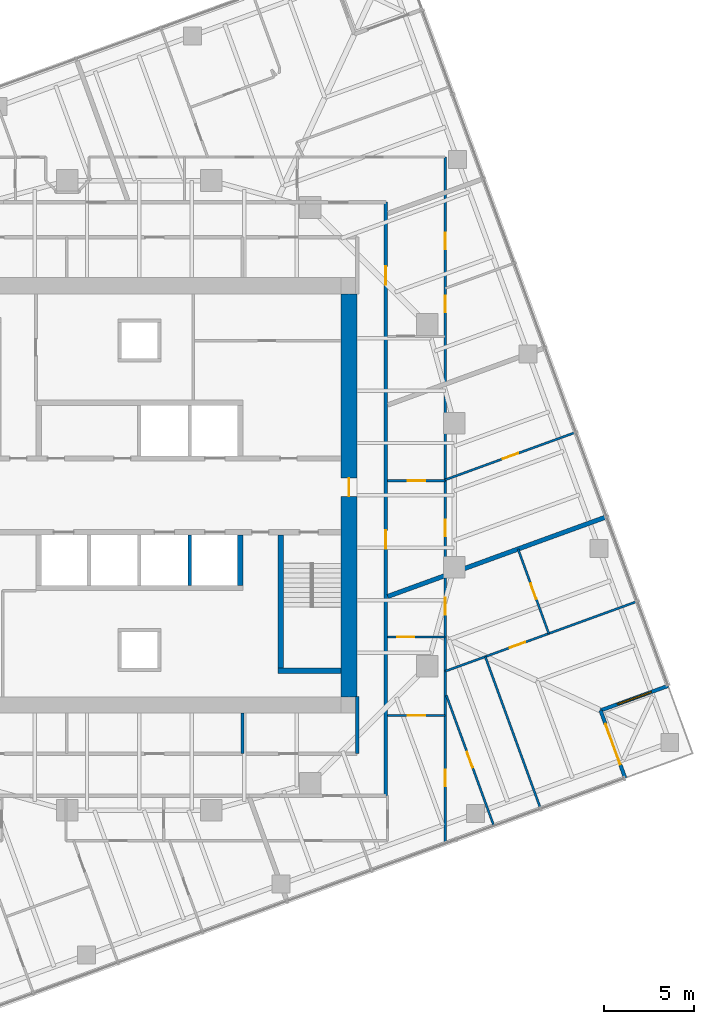
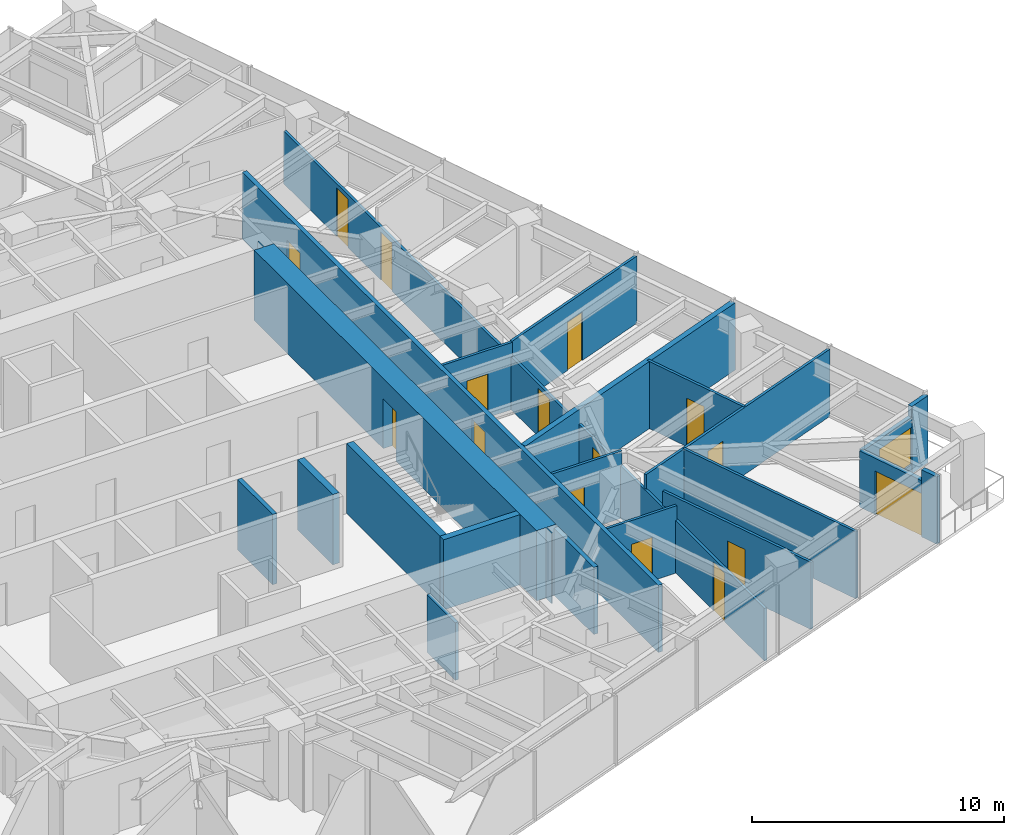
# One storey, part 9 of 13: 22 walls, 16 doors, 1 window, 17 openings.
"""IFC4 building model written with IfcOpenShell, lengths in metres."""

from ifc_helpers import new_model, si_unit, direction, frame, frame_2d, origin, place, context, subcontext, project, spatial, polyline, rectangle, outline, extrude, material, layer, layer_set, type_object, element, fill, save


model = new_model("IFC4")

# Units and contexts
model_context = context("Model", 3, precision=1e-05, world=origin(), true_north=direction((0.0, 1.0)))
body_context = subcontext(model_context, "Body", "Model", "MODEL_VIEW")
ifc_project = project(units=[si_unit("LENGTHUNIT", "METRE"), si_unit("AREAUNIT", "SQUARE_METRE"), si_unit("VOLUMEUNIT", "CUBIC_METRE"), si_unit("PLANEANGLEUNIT", "RADIAN"), si_unit("MASSUNIT", "GRAM", prefix="KILO")], contexts=[model_context])

# Site, building, storey
site_placement = place(None, origin())
site = spatial("IfcSite", under=ifc_project, at=site_placement, CompositionType="ELEMENT")
building_placement = place(site_placement, origin())
building = spatial("IfcBuilding", under=site, at=building_placement, Name="Torsade Residences", CompositionType="ELEMENT")
storey_placement = place(building_placement, frame((0.0, 0.0, 147.199951171875)))
storey = spatial("IfcBuildingStorey", under=building, at=storey_placement, Name="L40", CompositionType="ELEMENT", Elevation=147.199951171875)

# Walls
ifc_material_1 = material(Name="Concrete 80 MPa", Category="concrete")
ifc_layer_1 = layer(ifc_material_1, 0.300048828125)
ifc_layer_set_1 = layer_set([ifc_layer_1], Name="Concrete 80 MPa")
wall_type_1 = type_object("IfcWallType", Name="CORE INTERNAL WALL 300", PredefinedType="SHEAR", material=ifc_layer_set_1)
wall_1_placement = place(storey_placement, frame((45.60009765625, 27.800048828125, 0.0), z_axis=(0.0, 0.0, 1.0), x_axis=(0.0, -1.0, 0.0)))
element("IfcWall", 1, at=wall_1_placement, inside=storey, type_object=wall_type_1, Name="Core wall DS0 L40", PredefinedType="SHEAR", context=body_context, shape_type="SweptSolid", body=[
    extrude(rectangle(XDim=2.800048828125, YDim=0.300048828125, at=frame_2d((1.39990234375, 0.0))), origin(), (0.0, 0.0, 1.0), 3.400146484375),
])
wall_2_placement = place(storey_placement, frame((47.85009765625, 27.800048828125, 0.0), z_axis=(0.0, 0.0, 1.0), x_axis=(0.0, -1.0, 0.0)))
element("IfcWall", 2, at=wall_2_placement, inside=storey, type_object=wall_type_1, Name="Core wall ST2W L40", PredefinedType="SHEAR", context=body_context, shape_type="SweptSolid", body=[
    extrude(rectangle(XDim=7.699951171875, YDim=0.300048828125, at=frame_2d((3.85009765625, 0.0))), origin(), (0.0, 0.0, 1.0), 3.400146484375),
])
wall_3_placement = place(storey_placement, frame((51.199951171875, 20.25, 0.0), z_axis=(0.0, 0.0, 1.0), x_axis=(-1.0, 0.0, 0.0)))
element("IfcWall", 3, at=wall_3_placement, inside=storey, type_object=wall_type_1, Name="Core wall ST2S L40", PredefinedType="SHEAR", context=body_context, shape_type="SweptSolid", body=[
    extrude(rectangle(XDim=3.5, YDim=0.300048828125, at=frame_2d((1.75, 0.0))), origin(), (0.0, 0.0, 1.0), 3.400146484375),
])

# Wall, opening, door
ifc_material_2 = material(Name="Concrete 80 MPa", Category="concrete")
ifc_layer_2 = layer(ifc_material_2, 0.89990234375)
ifc_layer_set_2 = layer_set([ifc_layer_2], Name="Concrete 80 MPa")
wall_type_2 = type_object("IfcWallType", Name="CORE WALL 900", PredefinedType="SHEAR", material=ifc_layer_set_2)
wall_4_placement = place(storey_placement, frame((51.64990234375, 18.800048828125, 0.0), z_axis=(0.0, 0.0, 1.0), x_axis=(0.0, 1.0, 0.0)))
wall_4 = element("IfcWall", 4, at=wall_4_placement, inside=storey, type_object=wall_type_2, Name="Core wall E L40", PredefinedType="SHEAR", context=body_context, shape_type="SweptSolid", body=[
    extrude(outline(polyline([(0.0, -0.449951171875), (22.39990234375, -0.449951171875), (22.39990234375, -0.02490234375), (22.849853515625, -0.02490234375), (22.849853515625, 0.02490234375), (22.39990234375, 0.02490234375), (22.39990234375, 0.449951171875), (0.0, 0.449951171875), (0.0, 0.02490234375), (-0.449951171875, 0.02490234375), (-0.449951171875, -0.02490234375), (0.0, -0.02490234375), (0.0, -0.449951171875)])), origin(), (0.0, 0.0, 1.0), 3.400146484375),
])
opening_1_placement = place(wall_4_placement, frame((11.139892578125, 0.0, 0.0)))
opening_1 = element("IfcOpeningElement", 5, at=opening_1_placement, cuts=wall_4, Name="Opening D04", PredefinedType="OPENING", context=body_context, shape_type="SweptSolid", body=[
    extrude(rectangle(XDim=1.02001953125, YDim=2.39990234375, at=frame_2d((0.510009765625, 1.199951171875))), frame((0.0, 0.4599609375, 0.0), z_axis=(0.0, -1.0, 0.0), x_axis=(1.0, 0.0, 0.0)), (0.0, 0.0, 1.0), 0.919921875),
])
ifc_material_3 = material(Name="Steel-framed fire door", Category="steel")
door_type_1 = type_object("IfcDoorType", Name="LOBBY SMOKE DOOR 1020x2400", OperationType="NOTDEFINED", PredefinedType="DOOR", material=ifc_material_3)
door_1_placement = place(opening_1_placement, origin())
door_1 = element("IfcDoor", 6, at=door_1_placement, inside=storey, type_object=door_type_1, Name="Lift lobby door E L40", OperationType="SINGLE_SWING_LEFT", OverallHeight=2.39990234375, OverallWidth=1.02001953125, PredefinedType="DOOR", context=body_context, shape_type="SweptSolid", body=[
    extrude(rectangle(XDim=1.02001953125, YDim=2.39990234375, at=frame_2d((0.510009765625, 1.199951171875))), frame((0.0, 0.02490234375, 0.0), z_axis=(0.0, -1.0, 0.0), x_axis=(1.0, 0.0, 0.0)), (0.0, 0.0, 1.0), 0.050048828125),
])
fill(opening_1, door_1)

# Wall, openings, doors
ifc_material_4 = material(Name="Plasterboard on steel stud", Category="steel")
ifc_layer_3 = layer(ifc_material_4, 0.199951171875)
ifc_layer_set_3 = layer_set([ifc_layer_3], Name="Plasterboard on steel stud")
wall_type_3 = type_object("IfcWallType", Name="CORRIDOR WALL 200", PredefinedType="PARTITIONING", material=ifc_layer_set_3)
wall_5_placement = place(storey_placement, frame((53.699951171875, 13.300048828125, 0.0), z_axis=(0.0, 0.0, 1.0), x_axis=(0.0, 1.0, 0.0)))
wall_5 = element("IfcWall", 7, at=wall_5_placement, inside=storey, type_object=wall_type_3, Name="Corridor wall L40", PredefinedType="PARTITIONING", context=body_context, shape_type="SweptSolid", body=[
    extrude(rectangle(XDim=33.0, YDim=0.199951171875, at=frame_2d((16.5, 0.0))), origin(), (0.0, 0.0, 1.0), 3.25),
])
opening_2_placement = place(wall_5_placement, frame((28.4111328125, 0.0, 0.0)))
opening_2 = element("IfcOpeningElement", 8, at=opening_2_placement, cuts=wall_5, Name="Opening D01L", PredefinedType="OPENING", context=body_context, shape_type="SweptSolid", body=[
    extrude(rectangle(XDim=1.02001953125, YDim=2.10009765625, at=frame_2d((0.510009765625, 1.050048828125))), frame((0.0, 0.10986328125, 0.0), z_axis=(0.0, -1.0, 0.0), x_axis=(1.0, 0.0, 0.0)), (0.0, 0.0, 1.0), 0.219970703125),
])
opening_3_placement = place(wall_5_placement, frame((13.7412109375, 0.0, 0.0)))
opening_3 = element("IfcOpeningElement", 9, at=opening_3_placement, cuts=wall_5, Name="Opening D01", PredefinedType="OPENING", context=body_context, shape_type="SweptSolid", body=[
    extrude(rectangle(XDim=1.02001953125, YDim=2.340087890625, at=frame_2d((0.510009765625, 1.169921875))), frame((0.0, 0.10986328125, 0.0), z_axis=(0.0, -1.0, 0.0), x_axis=(1.0, 0.0, 0.0)), (0.0, 0.0, 1.0), 0.219970703125),
])
ifc_material_5 = material(Name="Solid-core timber fire door", Category="wood")
door_type_2 = type_object("IfcDoorType", Name="APARTMENT ENTRY DOOR 1020x2100", OperationType="NOTDEFINED", PredefinedType="DOOR", material=ifc_material_5)
door_2_placement = place(opening_2_placement, origin())
door_2 = element("IfcDoor", 10, at=door_2_placement, inside=storey, type_object=door_type_2, Name="Door Residential corridor to Kitchen and dining", OperationType="SINGLE_SWING_RIGHT", OverallHeight=2.10009765625, OverallWidth=1.02001953125, PredefinedType="DOOR", context=body_context, shape_type="SweptSolid", body=[
    extrude(rectangle(XDim=1.02001953125, YDim=2.10009765625, at=frame_2d((0.510009765625, 1.050048828125))), frame((0.0, 0.02490234375, 0.0), z_axis=(0.0, -1.0, 0.0), x_axis=(1.0, 0.0, 0.0)), (0.0, 0.0, 1.0), 0.050048828125),
])
fill(opening_2, door_2)
ifc_material_6 = material(Name="Solid-core timber fire door", Category="wood")
door_type_3 = type_object("IfcDoorType", Name="APARTMENT ENTRY DOOR 1020x2340", OperationType="NOTDEFINED", PredefinedType="DOOR", material=ifc_material_6)
door_3_placement = place(opening_3_placement, origin())
door_3 = element("IfcDoor", 11, at=door_3_placement, inside=storey, type_object=door_type_3, Name="Door Residential corridor to Kitchen and dining", OperationType="SINGLE_SWING_LEFT", OverallHeight=2.340087890625, OverallWidth=1.02001953125, PredefinedType="DOOR", context=body_context, shape_type="SweptSolid", body=[
    extrude(rectangle(XDim=1.02001953125, YDim=2.340087890625, at=frame_2d((0.510009765625, 1.169921875))), frame((0.0, 0.02490234375, 0.0), z_axis=(0.0, -1.0, 0.0), x_axis=(1.0, 0.0, 0.0)), (0.0, 0.0, 1.0), 0.050048828125),
])
fill(opening_3, door_3)

# Walls
wall_6_placement = place(storey_placement, frame((52.10009765625, 15.64990234375, 0.0), z_axis=(0.0, 0.0, 1.0), x_axis=(0.0, 1.0, 0.0)))
element("IfcWall", 12, at=wall_6_placement, inside=storey, type_object=wall_type_3, Name="Corridor wall L40", PredefinedType="PARTITIONING", context=body_context, shape_type="SweptSolid", body=[
    extrude(rectangle(XDim=3.170166015625, YDim=0.199951171875, at=frame_2d((1.5849609375, 0.0))), origin(), (0.0, 0.0, 1.0), 3.25),
])
ifc_material_7 = material(Name="Reinforced blockwork", Category="masonry")
ifc_layer_4 = layer(ifc_material_7, 0.199951171875)
ifc_layer_set_4 = layer_set([ifc_layer_4], Name="Reinforced blockwork")
wall_type_4 = type_object("IfcWallType", Name="LIFT SHAFT DIVIDING WALL 200", PredefinedType="SOLIDWALL", material=ifc_layer_set_4)
wall_7_placement = place(storey_placement, frame((42.800048828125, 27.800048828125, 0.0), z_axis=(0.0, 0.0, 1.0), x_axis=(0.0, -1.0, 0.0)))
element("IfcWall", 13, at=wall_7_placement, inside=storey, type_object=wall_type_4, Name="Core wall DS1 L40", PredefinedType="SOLIDWALL", context=body_context, shape_type="SweptSolid", body=[
    extrude(rectangle(XDim=2.800048828125, YDim=0.199951171875, at=frame_2d((1.39990234375, 0.0))), origin(), (0.0, 0.0, 1.0), 3.400146484375),
])

# Wall, opening, door
ifc_material_8 = material(Name="Plasterboard on steel stud", Category="steel")
ifc_layer_5 = layer(ifc_material_8, 0.1201171875)
ifc_layer_set_5 = layer_set([ifc_layer_5], Name="Plasterboard on steel stud")
wall_type_5 = type_object("IfcWallType", Name="PARTITION 120", PredefinedType="PARTITIONING", material=ifc_layer_set_5)
wall_8_placement = place(storey_placement, frame((53.800048828125, 17.768798828125, 0.0), z_axis=(0.0, 0.0, 1.0), x_axis=(1.0, 0.0, 0.0)))
wall_8 = element("IfcWall", 14, at=wall_8_placement, inside=storey, type_object=wall_type_5, Name="Partition L40", PredefinedType="PARTITIONING", context=body_context, shape_type="SweptSolid", body=[
    extrude(rectangle(XDim=3.199951171875, YDim=0.1201171875, at=frame_2d((1.60009765625, 0.0))), origin(), (0.0, 0.0, 1.0), 3.25),
])
opening_4_placement = place(wall_8_placement, frame((1.1201171875, 0.0, 0.0)))
opening_4 = element("IfcOpeningElement", 15, at=opening_4_placement, cuts=wall_8, Name="Opening D05", PredefinedType="OPENING", context=body_context, shape_type="SweptSolid", body=[
    extrude(rectangle(XDim=0.9599609375, YDim=2.10009765625, at=frame_2d((0.47998046875, 1.050048828125))), frame((0.0, 0.070068359375, 0.0), z_axis=(0.0, -1.0, 0.0), x_axis=(1.0, 0.0, 0.0)), (0.0, 0.0, 1.0), 0.14013671875),
])
ifc_material_9 = material(Name="Hollow-core timber door in a steel cavity frame", Category="steel")
door_type_4 = type_object("IfcDoorType", Name="BATHROOM CAVITY SLIDING DOOR 960", OperationType="SLIDING_TO_LEFT", PredefinedType="DOOR", material=ifc_material_9)
door_4_placement = place(opening_4_placement, origin())
door_4 = element("IfcDoor", 16, at=door_4_placement, inside=storey, type_object=door_type_4, Name="Door Scullery to Bathroom", OperationType="SLIDING_TO_LEFT", OverallHeight=2.10009765625, OverallWidth=0.9599609375, PredefinedType="DOOR", context=body_context, shape_type="SweptSolid", body=[
    extrude(rectangle(XDim=0.9599609375, YDim=2.10009765625, at=frame_2d((0.47998046875, 1.050048828125))), frame((0.0, 0.02490234375, 0.0), z_axis=(0.0, -1.0, 0.0), x_axis=(1.0, 0.0, 0.0)), (0.0, 0.0, 1.0), 0.050048828125),
])
fill(opening_4, door_4)

# Wall, openings, doors
wall_9_placement = place(storey_placement, frame((57.0, 48.800048828125, 0.0), z_axis=(0.0, 0.0, 1.0), x_axis=(0.0, -1.0, 0.0)))
wall_9 = element("IfcWall", 17, at=wall_9_placement, inside=storey, type_object=wall_type_5, Name="Partition L40", PredefinedType="PARTITIONING", context=body_context, shape_type="SweptSolid", body=[
    extrude(rectangle(XDim=38.11279296875, YDim=0.1201171875, at=frame_2d((19.056396484375, 0.0))), origin(), (0.0, 0.0, 1.0), 2.550048828125),
])
opening_5_placement = place(wall_9_placement, frame((4.19775390625, 0.0, 0.0)))
opening_5 = element("IfcOpeningElement", 18, at=opening_5_placement, cuts=wall_9, Name="Opening D02", PredefinedType="OPENING", context=body_context, shape_type="SweptSolid", body=[
    extrude(rectangle(XDim=0.919921875, YDim=2.340087890625, at=frame_2d((0.4599609375, 1.169921875))), frame((0.0, 0.070068359375, 0.0), z_axis=(0.0, -1.0, 0.0), x_axis=(1.0, 0.0, 0.0)), (0.0, 0.0, 1.0), 0.14013671875),
])
opening_6_placement = place(wall_9_placement, frame((7.69189453125, 0.0, 0.0)))
opening_6 = element("IfcOpeningElement", 19, at=opening_6_placement, cuts=wall_9, Name="Opening D02", PredefinedType="OPENING", context=body_context, shape_type="SweptSolid", body=[
    extrude(rectangle(XDim=0.919921875, YDim=2.340087890625, at=frame_2d((0.4599609375, 1.169921875))), frame((0.0, 0.070068359375, 0.0), z_axis=(0.0, -1.0, 0.0), x_axis=(1.0, 0.0, 0.0)), (0.0, 0.0, 1.0), 0.14013671875),
])
opening_7_placement = place(wall_9_placement, frame((20.162109375, 0.0, 0.0)))
opening_7 = element("IfcOpeningElement", 20, at=opening_7_placement, cuts=wall_9, Name="Opening D02", PredefinedType="OPENING", context=body_context, shape_type="SweptSolid", body=[
    extrude(rectangle(XDim=0.919921875, YDim=2.340087890625, at=frame_2d((0.4599609375, 1.169921875))), frame((0.0, 0.070068359375, 0.0), z_axis=(0.0, -1.0, 0.0), x_axis=(1.0, 0.0, 0.0)), (0.0, 0.0, 1.0), 0.14013671875),
])
opening_8_placement = place(wall_9_placement, frame((34.0556640625, 0.0, 0.0)))
opening_8 = element("IfcOpeningElement", 21, at=opening_8_placement, cuts=wall_9, Name="Opening D02", PredefinedType="OPENING", context=body_context, shape_type="SweptSolid", body=[
    extrude(rectangle(XDim=0.919921875, YDim=2.340087890625, at=frame_2d((0.4599609375, 1.169921875))), frame((0.0, 0.070068359375, 0.0), z_axis=(0.0, -1.0, 0.0), x_axis=(1.0, 0.0, 0.0)), (0.0, 0.0, 1.0), 0.14013671875),
])
opening_9_placement = place(wall_9_placement, frame((24.482421875, 0.0, 0.0)))
opening_9 = element("IfcOpeningElement", 22, at=opening_9_placement, cuts=wall_9, Name="Opening D05", PredefinedType="OPENING", context=body_context, shape_type="SweptSolid", body=[
    extrude(rectangle(XDim=0.9599609375, YDim=2.10009765625, at=frame_2d((0.47998046875, 1.050048828125))), frame((0.0, 0.070068359375, 0.0), z_axis=(0.0, -1.0, 0.0), x_axis=(1.0, 0.0, 0.0)), (0.0, 0.0, 1.0), 0.14013671875),
])
door_5_placement = place(opening_9_placement, origin())
door_5 = element("IfcDoor", 23, at=door_5_placement, inside=storey, type_object=door_type_4, Name="Door Ensuite to Walk-in robe", OperationType="SLIDING_TO_LEFT", OverallHeight=2.10009765625, OverallWidth=0.9599609375, PredefinedType="DOOR", context=body_context, shape_type="SweptSolid", body=[
    extrude(rectangle(XDim=0.9599609375, YDim=2.10009765625, at=frame_2d((0.47998046875, 1.050048828125))), frame((0.0, 0.02490234375, 0.0), z_axis=(0.0, -1.0, 0.0), x_axis=(1.0, 0.0, 0.0)), (0.0, 0.0, 1.0), 0.050048828125),
])
fill(opening_9, door_5)
ifc_material_10 = material(Name="Hollow-core timber door", Category="wood")
door_type_5 = type_object("IfcDoorType", Name="INTERNAL DOOR 920x2340", OperationType="NOTDEFINED", PredefinedType="DOOR", material=ifc_material_10)
door_6_placement = place(opening_5_placement, origin())
door_6 = element("IfcDoor", 24, at=door_6_placement, inside=storey, type_object=door_type_5, Name="Door Kitchen and dining to Bedroom 1", OperationType="SINGLE_SWING_RIGHT", OverallHeight=2.340087890625, OverallWidth=0.919921875, PredefinedType="DOOR", context=body_context, shape_type="SweptSolid", body=[
    extrude(rectangle(XDim=0.919921875, YDim=2.340087890625, at=frame_2d((0.4599609375, 1.169921875))), frame((0.0, 0.02490234375, 0.0), z_axis=(0.0, -1.0, 0.0), x_axis=(1.0, 0.0, 0.0)), (0.0, 0.0, 1.0), 0.050048828125),
])
fill(opening_5, door_6)
door_7_placement = place(opening_6_placement, origin())
door_7 = element("IfcDoor", 25, at=door_7_placement, inside=storey, type_object=door_type_5, Name="Door Kitchen and dining to Living room", OperationType="SINGLE_SWING_LEFT", OverallHeight=2.340087890625, OverallWidth=0.919921875, PredefinedType="DOOR", context=body_context, shape_type="SweptSolid", body=[
    extrude(rectangle(XDim=0.919921875, YDim=2.340087890625, at=frame_2d((0.4599609375, 1.169921875))), frame((0.0, 0.02490234375, 0.0), z_axis=(0.0, -1.0, 0.0), x_axis=(1.0, 0.0, 0.0)), (0.0, 0.0, 1.0), 0.050048828125),
])
fill(opening_6, door_7)
door_8_placement = place(opening_7_placement, origin())
door_8 = element("IfcDoor", 26, at=door_8_placement, inside=storey, type_object=door_type_5, Name="Door Kitchen and dining to Living room", OperationType="SINGLE_SWING_RIGHT", OverallHeight=2.340087890625, OverallWidth=0.919921875, PredefinedType="DOOR", context=body_context, shape_type="SweptSolid", body=[
    extrude(rectangle(XDim=0.919921875, YDim=2.340087890625, at=frame_2d((0.4599609375, 1.169921875))), frame((0.0, 0.02490234375, 0.0), z_axis=(0.0, -1.0, 0.0), x_axis=(1.0, 0.0, 0.0)), (0.0, 0.0, 1.0), 0.050048828125),
])
fill(opening_7, door_8)
door_9_placement = place(opening_8_placement, origin())
door_9 = element("IfcDoor", 27, at=door_9_placement, inside=storey, type_object=door_type_5, Name="Door Scullery to Study", OperationType="SINGLE_SWING_RIGHT", OverallHeight=2.340087890625, OverallWidth=0.919921875, PredefinedType="DOOR", context=body_context, shape_type="SweptSolid", body=[
    extrude(rectangle(XDim=0.919921875, YDim=2.340087890625, at=frame_2d((0.4599609375, 1.169921875))), frame((0.0, 0.02490234375, 0.0), z_axis=(0.0, -1.0, 0.0), x_axis=(1.0, 0.0, 0.0)), (0.0, 0.0, 1.0), 0.050048828125),
])
fill(opening_8, door_9)

# Wall, opening, door
wall_10_placement = place(storey_placement, frame((53.800048828125, 22.12939453125, 0.0), z_axis=(0.0, 0.0, 1.0), x_axis=(1.0, 0.0, 0.0)))
wall_10 = element("IfcWall", 28, at=wall_10_placement, inside=storey, type_object=wall_type_5, Name="Partition L40", PredefinedType="PARTITIONING", context=body_context, shape_type="SweptSolid", body=[
    extrude(rectangle(XDim=3.199951171875, YDim=0.1201171875, at=frame_2d((1.60009765625, 0.0))), origin(), (0.0, 0.0, 1.0), 3.25),
])
opening_10_placement = place(wall_10_placement, frame((0.52001953125, 0.0, 0.0)))
opening_10 = element("IfcOpeningElement", 29, at=opening_10_placement, cuts=wall_10, Name="Opening D05", PredefinedType="OPENING", context=body_context, shape_type="SweptSolid", body=[
    extrude(rectangle(XDim=0.9599609375, YDim=2.10009765625, at=frame_2d((0.47998046875, 1.050048828125))), frame((0.0, 0.070068359375, 0.0), z_axis=(0.0, -1.0, 0.0), x_axis=(1.0, 0.0, 0.0)), (0.0, 0.0, 1.0), 0.14013671875),
])
door_10_placement = place(opening_10_placement, origin())
door_10 = element("IfcDoor", 30, at=door_10_placement, inside=storey, type_object=door_type_4, Name="Door Bathroom to Ensuite", OperationType="SLIDING_TO_LEFT", OverallHeight=2.10009765625, OverallWidth=0.9599609375, PredefinedType="DOOR", context=body_context, shape_type="SweptSolid", body=[
    extrude(rectangle(XDim=0.9599609375, YDim=2.10009765625, at=frame_2d((0.47998046875, 1.050048828125))), frame((0.0, 0.02490234375, 0.0), z_axis=(0.0, -1.0, 0.0), x_axis=(1.0, 0.0, 0.0)), (0.0, 0.0, 1.0), 0.050048828125),
])
fill(opening_10, door_10)

wall_11_placement = place(storey_placement, frame((57.0, 20.224853515625, 0.0), z_axis=(0.0, 0.0, 1.0), x_axis=(0.939693965364, 0.342016449105, 0.0)))
wall_11 = element("IfcWall", 31, at=wall_11_placement, inside=storey, type_object=wall_type_5, Name="Partition L40", PredefinedType="PARTITIONING", context=body_context, shape_type="SweptSolid", body=[
    extrude(rectangle(XDim=11.328369140625, YDim=0.1201171875, at=frame_2d((5.6640625, 0.0))), origin(), (0.0, 0.0, 1.0), 3.25),
])
opening_11_placement = place(wall_11_placement, frame((3.812255859375, 0.0, 0.0)))
opening_11 = element("IfcOpeningElement", 32, at=opening_11_placement, cuts=wall_11, Name="Opening D02", PredefinedType="OPENING", context=body_context, shape_type="SweptSolid", body=[
    extrude(rectangle(XDim=0.919921875, YDim=2.340087890625, at=frame_2d((0.4599609375, 1.169921875))), frame((0.0, 0.070068359375, 0.0), z_axis=(0.0, -1.0, 0.0), x_axis=(1.0, 0.0, 0.0)), (0.0, 0.0, 1.0), 0.14013671875),
])
door_11_placement = place(opening_11_placement, origin())
door_11 = element("IfcDoor", 33, at=door_11_placement, inside=storey, type_object=door_type_5, Name="Door Walk-in robe to Living room", OperationType="SINGLE_SWING_RIGHT", OverallHeight=2.340087890625, OverallWidth=0.919921875, PredefinedType="DOOR", context=body_context, shape_type="SweptSolid", body=[
    extrude(rectangle(XDim=0.919921875, YDim=2.340087890625, at=frame_2d((0.4599609375, 1.169921875))), frame((0.0, 0.02490234375, 0.0), z_axis=(0.0, -1.0, 0.0), x_axis=(1.0, 0.0, 0.0)), (0.0, 0.0, 1.0), 0.050048828125),
])
fill(opening_11, door_11)

# Wall
wall_12_placement = place(storey_placement, frame((62.290283203125, 12.615234375, 0.0), z_axis=(0.0, 0.0, 1.0), x_axis=(-0.342038393654, 0.939685978009, 0.0)))
element("IfcWall", 34, at=wall_12_placement, inside=storey, type_object=wall_type_5, Name="Partition L40", PredefinedType="PARTITIONING", context=body_context, shape_type="SweptSolid", body=[
    extrude(rectangle(XDim=8.960205078125, YDim=0.1201171875, at=frame_2d((4.47998046875, 0.0))), origin(), (0.0, 0.0, 1.0), 3.25),
])

# Wall, opening, door
wall_13_placement = place(storey_placement, frame((62.756591796875, 22.320068359375, 0.0), z_axis=(0.0, 0.0, 1.0), x_axis=(-0.341993964619, 0.939702148643, 0.0)))
wall_13 = element("IfcWall", 35, at=wall_13_placement, inside=storey, type_object=wall_type_5, Name="Partition L40", PredefinedType="PARTITIONING", context=body_context, shape_type="SweptSolid", body=[
    extrude(rectangle(XDim=5.0, YDim=0.1201171875, at=frame_2d((2.5, 0.0))), origin(), (0.0, 0.0, 1.0), 3.25),
])
opening_12_placement = place(wall_13_placement, frame((2.0400390625, 0.0, 0.0)))
opening_12 = element("IfcOpeningElement", 36, at=opening_12_placement, cuts=wall_13, Name="Opening D02", PredefinedType="OPENING", context=body_context, shape_type="SweptSolid", body=[
    extrude(rectangle(XDim=0.919921875, YDim=2.340087890625, at=frame_2d((0.4599609375, 1.169921875))), frame((0.0, 0.070068359375, 0.0), z_axis=(0.0, -1.0, 0.0), x_axis=(1.0, 0.0, 0.0)), (0.0, 0.0, 1.0), 0.14013671875),
])
door_12_placement = place(opening_12_placement, origin())
door_12 = element("IfcDoor", 37, at=door_12_placement, inside=storey, type_object=door_type_5, Name="Door Walk-in robe to Bedroom 1", OperationType="SINGLE_SWING_RIGHT", OverallHeight=2.340087890625, OverallWidth=0.919921875, PredefinedType="DOOR", context=body_context, shape_type="SweptSolid", body=[
    extrude(rectangle(XDim=0.919921875, YDim=2.340087890625, at=frame_2d((0.4599609375, 1.169921875))), frame((0.0, 0.02490234375, 0.0), z_axis=(0.0, -1.0, 0.0), x_axis=(1.0, 0.0, 0.0)), (0.0, 0.0, 1.0), 0.050048828125),
])
fill(opening_12, door_12)

wall_14_placement = place(storey_placement, frame((59.689208984375, 11.668701171875, 0.0), z_axis=(0.0, 0.0, 1.0), x_axis=(-0.342003311293, 0.939698746974, 0.0)))
wall_14 = element("IfcWall", 38, at=wall_14_placement, inside=storey, type_object=wall_type_5, Name="Partition L40", PredefinedType="PARTITIONING", context=body_context, shape_type="SweptSolid", body=[
    extrude(rectangle(XDim=7.6826171875, YDim=0.1201171875, at=frame_2d((3.84130859375, 0.0))), origin(), (0.0, 0.0, 1.0), 3.25),
])
opening_13_placement = place(wall_14_placement, frame((3.411376953125, 0.0, 0.0)))
opening_13 = element("IfcOpeningElement", 39, at=opening_13_placement, cuts=wall_14, Name="Opening D02", PredefinedType="OPENING", context=body_context, shape_type="SweptSolid", body=[
    extrude(rectangle(XDim=0.919921875, YDim=2.340087890625, at=frame_2d((0.4599609375, 1.169921875))), frame((0.0, 0.070068359375, 0.0), z_axis=(0.0, -1.0, 0.0), x_axis=(1.0, 0.0, 0.0)), (0.0, 0.0, 1.0), 0.14013671875),
])
door_13_placement = place(opening_13_placement, origin())
door_13 = element("IfcDoor", 40, at=door_13_placement, inside=storey, type_object=door_type_5, Name="Door Study to Bedroom 3", OperationType="SINGLE_SWING_LEFT", OverallHeight=2.340087890625, OverallWidth=0.919921875, PredefinedType="DOOR", context=body_context, shape_type="SweptSolid", body=[
    extrude(rectangle(XDim=0.919921875, YDim=2.340087890625, at=frame_2d((0.4599609375, 1.169921875))), frame((0.0, 0.02490234375, 0.0), z_axis=(0.0, -1.0, 0.0), x_axis=(1.0, 0.0, 0.0)), (0.0, 0.0, 1.0), 0.050048828125),
])
fill(opening_13, door_13)

wall_15_placement = place(storey_placement, frame((53.800048828125, 30.810302734375, 0.0), z_axis=(0.0, 0.0, 1.0), x_axis=(1.0, 0.0, 0.0)))
wall_15 = element("IfcWall", 41, at=wall_15_placement, inside=storey, type_object=wall_type_5, Name="Partition L40", PredefinedType="PARTITIONING", context=body_context, shape_type="SweptSolid", body=[
    extrude(rectangle(XDim=3.199951171875, YDim=0.1201171875, at=frame_2d((1.60009765625, 0.0))), origin(), (0.0, 0.0, 1.0), 3.25),
])
opening_14_placement = place(wall_15_placement, frame((1.1201171875, 0.0, 0.0)))
opening_14 = element("IfcOpeningElement", 42, at=opening_14_placement, cuts=wall_15, Name="Opening D05", PredefinedType="OPENING", context=body_context, shape_type="SweptSolid", body=[
    extrude(rectangle(XDim=0.9599609375, YDim=2.10009765625, at=frame_2d((0.47998046875, 1.050048828125))), frame((0.0, 0.070068359375, 0.0), z_axis=(0.0, -1.0, 0.0), x_axis=(1.0, 0.0, 0.0)), (0.0, 0.0, 1.0), 0.14013671875),
])
door_14_placement = place(opening_14_placement, origin())
door_14 = element("IfcDoor", 43, at=door_14_placement, inside=storey, type_object=door_type_4, Name="Door Kitchen and dining to Bathroom", OperationType="SLIDING_TO_LEFT", OverallHeight=2.10009765625, OverallWidth=0.9599609375, PredefinedType="DOOR", context=body_context, shape_type="SweptSolid", body=[
    extrude(rectangle(XDim=0.9599609375, YDim=2.10009765625, at=frame_2d((0.47998046875, 1.050048828125))), frame((0.0, 0.02490234375, 0.0), z_axis=(0.0, -1.0, 0.0), x_axis=(1.0, 0.0, 0.0)), (0.0, 0.0, 1.0), 0.050048828125),
])
fill(opening_14, door_14)

wall_16_placement = place(storey_placement, frame((57.0, 30.866455078125, 0.0), z_axis=(0.0, 0.0, 1.0), x_axis=(0.939685835373, 0.342038785519, 0.0)))
wall_16 = element("IfcWall", 44, at=wall_16_placement, inside=storey, type_object=wall_type_5, Name="Partition L40", PredefinedType="PARTITIONING", context=body_context, shape_type="SweptSolid", body=[
    extrude(rectangle(XDim=7.68896484375, YDim=0.1201171875, at=frame_2d((3.844482421875, 0.0))), origin(), (0.0, 0.0, 1.0), 3.25),
])
opening_15_placement = place(wall_16_placement, frame((3.404296875, 0.0, 0.0)))
opening_15 = element("IfcOpeningElement", 45, at=opening_15_placement, cuts=wall_16, Name="Opening D02", PredefinedType="OPENING", context=body_context, shape_type="SweptSolid", body=[
    extrude(rectangle(XDim=0.919921875, YDim=2.340087890625, at=frame_2d((0.4599609375, 1.169921875))), frame((0.0, 0.070068359375, 0.0), z_axis=(0.0, -1.0, 0.0), x_axis=(1.0, 0.0, 0.0)), (0.0, 0.0, 1.0), 0.14013671875),
])
door_15_placement = place(opening_15_placement, origin())
door_15 = element("IfcDoor", 46, at=door_15_placement, inside=storey, type_object=door_type_5, Name="Door Living room to Bedroom 1", OperationType="SINGLE_SWING_RIGHT", OverallHeight=2.340087890625, OverallWidth=0.919921875, PredefinedType="DOOR", context=body_context, shape_type="SweptSolid", body=[
    extrude(rectangle(XDim=0.919921875, YDim=2.340087890625, at=frame_2d((0.4599609375, 1.169921875))), frame((0.0, 0.02490234375, 0.0), z_axis=(0.0, -1.0, 0.0), x_axis=(1.0, 0.0, 0.0)), (0.0, 0.0, 1.0), 0.050048828125),
])
fill(opening_15, door_15)

# Walls
ifc_material_11 = material(Name="Masonry-lined stud party wall", Category="masonry")
ifc_layer_6 = layer(ifc_material_11, 0.25)
ifc_layer_set_6 = layer_set([ifc_layer_6], Name="Masonry-lined stud party wall")
wall_type_6 = type_object("IfcWallType", Name="PARTY WALL 250", PredefinedType="PARTITIONING", material=ifc_layer_set_6)
wall_17_placement = place(storey_placement, frame((65.972900390625, 28.8115234375, 0.0), z_axis=(0.0, 0.0, 1.0), x_axis=(-0.939692090592, -0.342021600019, 0.0)))
element("IfcWall", 47, at=wall_17_placement, inside=storey, type_object=wall_type_6, Name="Party wall L40", PredefinedType="PARTITIONING", context=body_context, shape_type="SweptSolid", body=[
    extrude(rectangle(XDim=12.94873046875, YDim=0.25, at=frame_2d((6.474365234375, 0.0))), origin(), (0.0, 0.0, 1.0), 3.25),
])
ifc_material_12 = material(Name="Reinforced blockwork", Category="masonry")
ifc_layer_7 = layer(ifc_material_12, 0.14990234375)
ifc_layer_set_7 = layer_set([ifc_layer_7], Name="Reinforced blockwork")
wall_type_7 = type_object("IfcWallType", Name="SERVICE ROOM WALL 150", PredefinedType="SOLIDWALL", material=ifc_layer_set_7)
wall_18_placement = place(storey_placement, frame((45.7353515625, 15.64990234375, 0.0), z_axis=(0.0, 0.0, 1.0), x_axis=(0.0, 1.0, 0.0)))
element("IfcWall", 48, at=wall_18_placement, inside=storey, type_object=wall_type_7, Name="Service room wall L40", PredefinedType="SOLIDWALL", context=body_context, shape_type="SweptSolid", body=[
    extrude(rectangle(XDim=2.25, YDim=0.14990234375, at=frame_2d((1.125, 0.0))), origin(), (0.0, 0.0, 1.0), 2.796142578125),
])
ifc_material_13 = material(Name="Stone-faced precast concrete 40 MPa panel", Category="masonry")
ifc_layer_8 = layer(ifc_material_13, 0.199951171875)
ifc_layer_set_8 = layer_set([ifc_layer_8], Name="Stone-faced precast concrete 40 MPa panel")
wall_type_8 = type_object("IfcWallType", Name="TERRACE WALL 200", PredefinedType="SOLIDWALL", material=ifc_layer_set_8)
wall_19_placement = place(storey_placement, frame((67.00244140625, 14.287841796875, 0.0), z_axis=(0.0, 0.0, 1.0), x_axis=(-0.342110593602, 0.939659694648, 0.0)))
element("IfcWall", 49, at=wall_19_placement, inside=storey, type_object=wall_type_8, Name="Terrace wall L40 2", PredefinedType="SOLIDWALL", context=body_context, shape_type="SweptSolid", body=[
    extrude(rectangle(XDim=0.800048828125, YDim=0.199951171875, at=frame_2d((0.39990234375, 0.0))), origin(), (0.0, 0.0, 1.0), 3.25),
])

# Wall, opening, door
wall_20_placement = place(storey_placement, frame((66.728759765625, 15.03955078125, 0.0), z_axis=(0.0, 0.0, 1.0), x_axis=(-0.342018703306, 0.939693144909, 0.0)))
wall_20 = element("IfcWall", 50, at=wall_20_placement, inside=storey, type_object=wall_type_8, Name="Terrace wall L40 2", PredefinedType="SOLIDWALL", context=body_context, shape_type="SweptSolid", body=[
    extrude(rectangle(XDim=3.199951171875, YDim=0.199951171875, at=frame_2d((1.60009765625, 0.0))), origin(), (0.0, 0.0, 1.0), 2.72216796875),
])
opening_16_placement = place(wall_20_placement, origin())
opening_16 = element("IfcOpeningElement", 51, at=opening_16_placement, cuts=wall_20, Name="Opening D10A", PredefinedType="OPENING", context=body_context, shape_type="SweptSolid", body=[
    extrude(rectangle(XDim=2.39990234375, YDim=2.10009765625, at=frame_2d((1.199951171875, 1.050048828125))), frame((0.0, 0.10986328125, 0.0), z_axis=(0.0, -1.0, 0.0), x_axis=(1.0, 0.0, 0.0)), (0.0, 0.0, 1.0), 0.219970703125),
])
ifc_material_14 = material(Name="Aluminium-framed glass door", Category="aluminium")
door_type_6 = type_object("IfcDoorType", Name="TERRACE SLIDING DOOR 2400x2100", OperationType="SLIDING_TO_LEFT", PredefinedType="DOOR", material=ifc_material_14)
door_16_placement = place(opening_16_placement, origin())
door_16 = element("IfcDoor", 52, at=door_16_placement, inside=storey, type_object=door_type_6, Name="Terrace door L40 2", OperationType="SLIDING_TO_LEFT", OverallHeight=2.10009765625, OverallWidth=2.39990234375, PredefinedType="DOOR", context=body_context, shape_type="SweptSolid", body=[
    extrude(rectangle(XDim=2.39990234375, YDim=2.10009765625, at=frame_2d((1.199951171875, 1.050048828125))), frame((0.0, 0.02490234375, 0.0), z_axis=(0.0, -1.0, 0.0), x_axis=(1.0, 0.0, 0.0)), (0.0, 0.0, 1.0), 0.050048828125),
])
fill(opening_16, door_16)

# Wall, opening, window
wall_21_placement = place(storey_placement, frame((65.63427734375, 18.046630859375, 0.0), z_axis=(0.0, 0.0, 1.0), x_axis=(0.939712609717, 0.341965219194, 0.0)))
wall_21 = element("IfcWall", 53, at=wall_21_placement, inside=storey, type_object=wall_type_8, Name="Terrace wall L40 3", PredefinedType="SOLIDWALL", context=body_context, shape_type="SweptSolid", body=[
    extrude(rectangle(XDim=3.0, YDim=0.199951171875, at=frame_2d((1.5, 0.0))), origin(), (0.0, 0.0, 1.0), 2.72216796875),
])
opening_17_placement = place(wall_21_placement, frame((1.0, 0.0, 0.449951171875)))
opening_17 = element("IfcOpeningElement", 54, at=opening_17_placement, cuts=wall_21, Name="Opening W1B", PredefinedType="OPENING", context=body_context, shape_type="SweptSolid", body=[
    extrude(rectangle(XDim=2.0, YDim=1.800048828125, at=frame_2d((1.0, 0.89990234375))), frame((0.0, 0.10986328125, 0.0), z_axis=(0.0, -1.0, 0.0), x_axis=(1.0, 0.0, 0.0)), (0.0, 0.0, 1.0), 0.219970703125),
])
ifc_material_15 = material(Name="Aluminium-framed glass window", Category="aluminium")
window_type = type_object("IfcWindowType", Name="TERRACE WINDOW 2000x1800", PartitioningType="SINGLE_PANEL", PredefinedType="WINDOW", material=ifc_material_15)
window_placement = place(opening_17_placement, origin())
window = element("IfcWindow", 55, at=window_placement, inside=storey, type_object=window_type, Name="Terrace window L40 3", OverallHeight=1.800048828125, OverallWidth=2.0, PartitioningType="SINGLE_PANEL", PredefinedType="WINDOW", context=body_context, shape_type="SweptSolid", body=[
    extrude(rectangle(XDim=2.0, YDim=1.800048828125, at=frame_2d((1.0, 0.89990234375))), frame((0.0, 0.030029296875, 0.0), z_axis=(0.0, -1.0, 0.0), x_axis=(1.0, 0.0, 0.0)), (0.0, 0.0, 1.0), 0.06005859375),
])
fill(opening_17, window)

# Wall
wall_22_placement = place(storey_placement, frame((68.453369140625, 19.072509765625, 0.0), z_axis=(0.0, 0.0, 1.0), x_axis=(0.939686455819, 0.342037080957, 0.0)))
element("IfcWall", 56, at=wall_22_placement, inside=storey, type_object=wall_type_8, Name="Terrace wall L40 3", PredefinedType="SOLIDWALL", context=body_context, shape_type="SweptSolid", body=[
    extrude(rectangle(XDim=1.0, YDim=0.199951171875, at=frame_2d((0.5, 0.0))), origin(), (0.0, 0.0, 1.0), 3.25),
])

save(model, "model.ifc")
